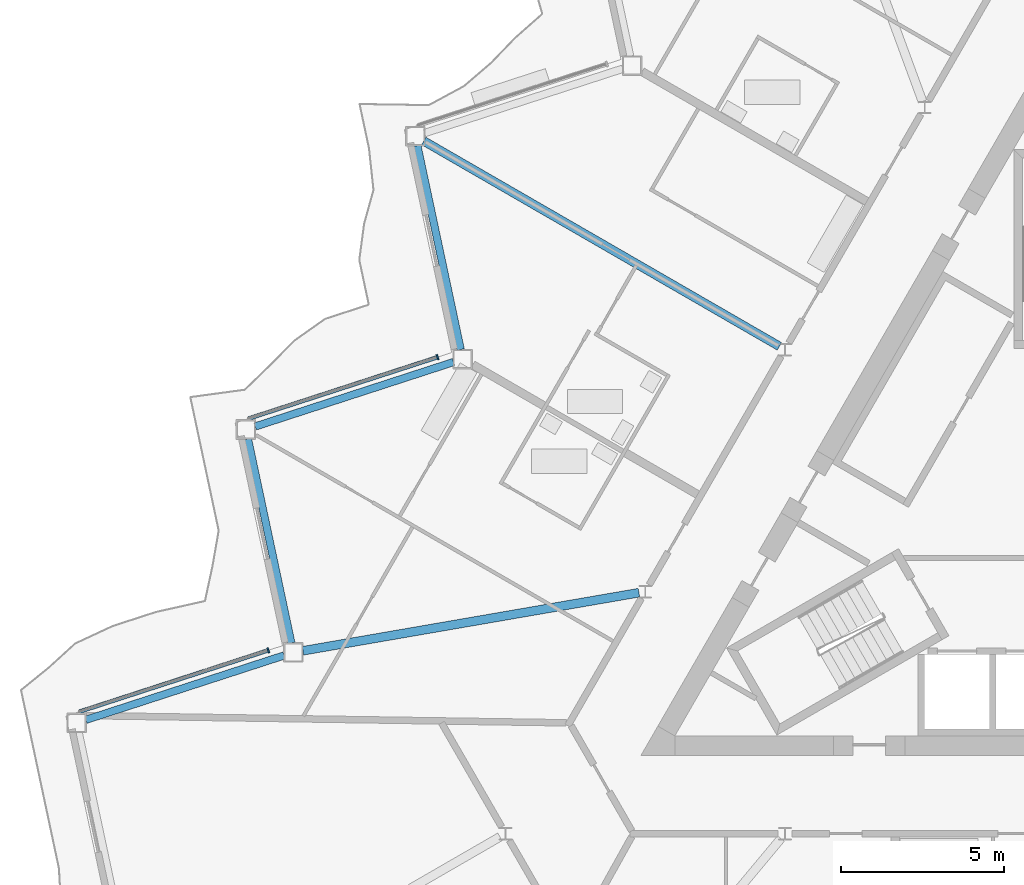
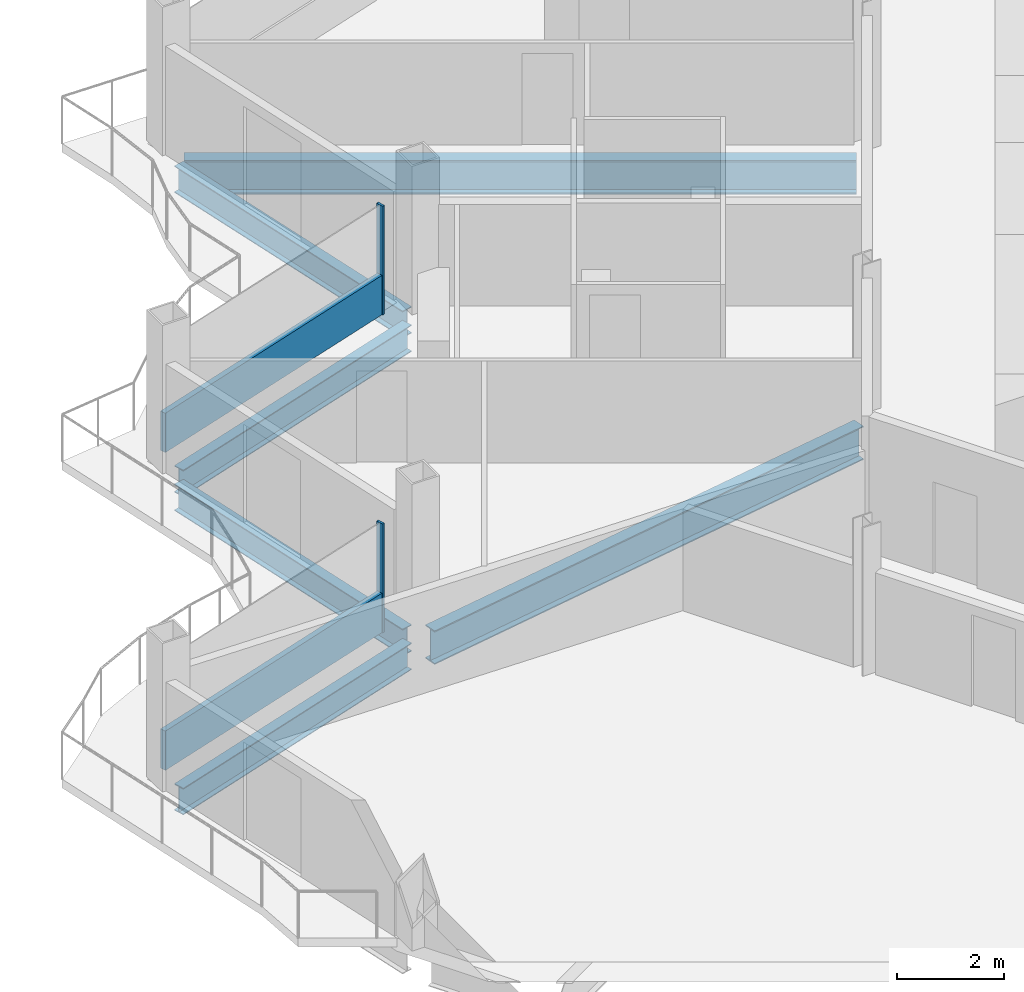
# One storey, part 6 of 26: 6 beams, 4 members, 2 elements without a shape of their own.
"""IFC4 building model written with IfcOpenShell, lengths in metres."""

from ifc_helpers import new_model, si_unit, direction, frame, origin, origin_2d, place, context, subcontext, project, spatial, rectangle, i_section, extrude, material, layer, layer_set, material_profile, profile_set, type_object, element, aggregate, save


model = new_model("IFC4")

# Units and contexts
model_context = context("Model", 3, precision=1e-05, world=origin(), true_north=direction((0.0, 1.0)))
body_context = subcontext(model_context, "Body", "Model", "MODEL_VIEW")
ifc_project = project(units=[si_unit("LENGTHUNIT", "METRE"), si_unit("AREAUNIT", "SQUARE_METRE"), si_unit("VOLUMEUNIT", "CUBIC_METRE"), si_unit("PLANEANGLEUNIT", "RADIAN"), si_unit("MASSUNIT", "GRAM", prefix="KILO")], contexts=[model_context])

# Site, building, storey
site_placement = place(None, origin())
site = spatial("IfcSite", under=ifc_project, at=site_placement, CompositionType="ELEMENT")
building_placement = place(site_placement, origin())
building = spatial("IfcBuilding", under=site, at=building_placement, Name="Cormorant Prow Tower", CompositionType="ELEMENT")
storey_placement = place(building_placement, frame((0.0, 0.0, 325.60009765625)))
storey = spatial("IfcBuildingStorey", under=building, at=storey_placement, Name="L72", CompositionType="ELEMENT", Elevation=325.60009765625)

# Beams
ifc_material_1 = material(Name="Structural steel ASTM A992 Gr 50", Category="steel")
ifc_material_profile_1 = material_profile(ifc_material_1, i_section(OverallWidth=0.267822265625, OverallDepth=0.77001953125, WebThickness=0.015625, FlangeThickness=0.025390625, at=origin_2d()), Name="W30x132")
ifc_profile_set_1 = profile_set([ifc_material_profile_1], Name="Structural steel ASTM A992 Gr 50")
beam_type_1 = type_object("IfcBeamType", Name="Radial floor beam W30x132", PredefinedType="BEAM", material=ifc_profile_set_1)
beam_1_placement = place(storey_placement, frame((-8.749755859375, 5.051513671875, -0.68505859375), z_axis=(-0.866021086443, 0.50000747778, 0.0), x_axis=(-0.50000747778, -0.866021086443, 0.0)))
element("IfcBeam", 1, at=beam_1_placement, inside=storey, type_object=beam_type_1, Name="Radial floor beam FB3 3 L72", PredefinedType="BEAM", context=body_context, shape_type="SweptSolid", body=[
    extrude(i_section(OverallWidth=0.267822265625, OverallDepth=0.77001953125, WebThickness=0.015625, FlangeThickness=0.025390625, at=origin_2d()), origin(), (0.0, 0.0, 1.0), 12.604736328125),
])
beam_2_placement = place(storey_placement, frame((-13.0625, -2.510009765625, -0.68505859375), z_axis=(-0.985379592304, -0.170373293304, 0.0), x_axis=(0.170373293304, -0.985379592304, 0.0)))
element("IfcBeam", 2, at=beam_2_placement, inside=storey, type_object=beam_type_1, Name="Radial floor beam FB3 4 L72", PredefinedType="BEAM", context=body_context, shape_type="SweptSolid", body=[
    extrude(i_section(OverallWidth=0.267822265625, OverallDepth=0.77001953125, WebThickness=0.015625, FlangeThickness=0.025390625, at=origin_2d()), origin(), (0.0, 0.0, 1.0), 10.465087890625),
])

# Curtain wall, member
ifc_material_2 = material(Name="Aluminium 6063-T6", Category="aluminium")
ifc_layer = layer(ifc_material_2, 0.159912109375)
ifc_layer_set = layer_set([ifc_layer], Name="Aluminium 6063-T6")
curtain_wall_type = type_object("IfcCurtainWallType", Name="Residential unitised curtain wall 160", PredefinedType="NOTDEFINED", material=ifc_layer_set)
curtain_wall_1_placement = place(storey_placement, origin())
curtain_wall_1 = element("IfcCurtainWall", 3, at=curtain_wall_1_placement, inside=storey, type_object=curtain_wall_type, Name="Residential curtain wall WNW06", PredefinedType="NOTDEFINED")
ifc_material_3 = material(Name="Aluminium 6063-T6", Category="aluminium")
ifc_material_profile_2 = material_profile(ifc_material_3, rectangle(XDim=0.159912109375, YDim=0.050048828125, at=origin_2d()), Name="Residential mullion 50x160")
ifc_profile_set_2 = profile_set([ifc_material_profile_2], Name="Aluminium 6063-T6")
member_type_1 = type_object("IfcMemberType", Name="Residential mullion 50x160", PredefinedType="MULLION", material=ifc_profile_set_2)
member_1_placement = place(storey_placement, frame((-19.244384765625, 4.718505859375, 0.0), z_axis=(0.0, 0.0, 1.0), x_axis=(0.309017021913, -0.951056507348, 0.0)))
member_1 = element("IfcMember", 4, at=member_1_placement, type_object=member_type_1, Name="Residential mullion WNW06", PredefinedType="MULLION", context=body_context, shape_type="SweptSolid", body=[
    extrude(rectangle(XDim=0.159912109375, YDim=0.050048828125, at=origin_2d()), origin(), (0.0, 0.0, 1.0), 2.48779296875),
])

curtain_wall_2_placement = place(storey_placement, origin())
curtain_wall_2 = element("IfcCurtainWall", 5, at=curtain_wall_2_placement, inside=storey, type_object=curtain_wall_type, Name="Residential curtain wall WNW08", PredefinedType="NOTDEFINED")
member_2_placement = place(storey_placement, frame((-24.43896484375, -4.279052734375, 0.0), z_axis=(0.0, 0.0, 1.0), x_axis=(0.309017021913, -0.951056507348, 0.0)))
member_2 = element("IfcMember", 6, at=member_2_placement, type_object=member_type_1, Name="Residential mullion WNW08", PredefinedType="MULLION", context=body_context, shape_type="SweptSolid", body=[
    extrude(rectangle(XDim=0.159912109375, YDim=0.050048828125, at=origin_2d()), origin(), (0.0, 0.0, 1.0), 2.48779296875),
])

# Member
ifc_material_4 = material(Name="Terracotta", Category="masonry")
ifc_material_profile_3 = material_profile(ifc_material_4, rectangle(XDim=0.1201171875, YDim=0.89990234375, at=origin_2d()), Name="Residential terracotta spandrel rail 120x900")
ifc_profile_set_3 = profile_set([ifc_material_profile_3], Name="Terracotta")
member_type_2 = type_object("IfcMemberType", Name="Residential terracotta spandrel rail 120x900", PredefinedType="USERDEFINED", material=ifc_profile_set_3)
member_3_placement = place(storey_placement, frame((-19.26806640625, 4.710693359375, 0.449951171875), z_axis=(-0.951064202661, -0.308993337171, 0.0), x_axis=(0.308993337171, -0.951064202661, 0.0)))
member_3 = element("IfcMember", 7, at=member_3_placement, type_object=member_type_2, Name="Residential spandrel rail WNW06", ObjectType="TRANSOM", PredefinedType="USERDEFINED", context=body_context, shape_type="SweptSolid", body=[
    extrude(rectangle(XDim=0.1201171875, YDim=0.89990234375, at=origin_2d()), origin(), (0.0, 0.0, 1.0), 6.072021484375),
])

aggregate(curtain_wall_1, [member_1, member_3])

member_4_placement = place(storey_placement, frame((-24.462646484375, -4.28662109375, 0.449951171875), z_axis=(-0.95105622579, -0.309017888456, 0.0), x_axis=(0.309017888456, -0.95105622579, 0.0)))
member_4 = element("IfcMember", 8, at=member_4_placement, type_object=member_type_2, Name="Residential spandrel rail WNW08", ObjectType="TRANSOM", PredefinedType="USERDEFINED", context=body_context, shape_type="SweptSolid", body=[
    extrude(rectangle(XDim=0.1201171875, YDim=0.89990234375, at=origin_2d()), origin(), (0.0, 0.0, 1.0), 6.072265625),
])

aggregate(curtain_wall_2, [member_2, member_4])

# Beams
ifc_material_5 = material(Name="Structural steel ASTM A992 Gr 50", Category="steel")
ifc_material_profile_4 = material_profile(ifc_material_5, i_section(OverallWidth=0.22900390625, OverallDepth=0.612060546875, WebThickness=0.011962890625, FlangeThickness=0.01953125, at=origin_2d()), Name="W24x84")
ifc_profile_set_4 = profile_set([ifc_material_profile_4], Name="Structural steel ASTM A992 Gr 50")
beam_type_2 = type_object("IfcBeamType", Name="Spandrel beam W24x84", PredefinedType="SPANDREL", material=ifc_profile_set_4)
beam_3_placement = place(storey_placement, frame((-19.86328125, 11.210693359375, -0.606201171875), z_axis=(0.20791262393, -0.978147402394, 0.0), x_axis=(0.978147402394, 0.20791262393, 0.0)))
element("IfcBeam", 9, at=beam_3_placement, inside=storey, type_object=beam_type_2, Name="Spandrel beam SB3 WNW05-WNW06 L72", PredefinedType="SPANDREL", context=body_context, shape_type="SweptSolid", body=[
    extrude(i_section(OverallWidth=0.22900390625, OverallDepth=0.612060546875, WebThickness=0.011962890625, FlangeThickness=0.01953125, at=origin_2d()), origin(), (0.0, 0.0, 1.0), 6.396240234375),
])
beam_4_placement = place(storey_placement, frame((-18.75634765625, 4.568115234375, -0.606201171875), z_axis=(-0.951064359156, -0.308992855489, 0.0), x_axis=(0.308992855489, -0.951064359156, 0.0)))
element("IfcBeam", 10, at=beam_4_placement, inside=storey, type_object=beam_type_2, Name="Spandrel beam SB3 WNW06-WNW07 L72", PredefinedType="SPANDREL", context=body_context, shape_type="SweptSolid", body=[
    extrude(i_section(OverallWidth=0.22900390625, OverallDepth=0.612060546875, WebThickness=0.011962890625, FlangeThickness=0.01953125, at=origin_2d()), origin(), (0.0, 0.0, 1.0), 6.39599609375),
])
beam_5_placement = place(storey_placement, frame((-25.062255859375, 2.20556640625, -0.606201171875), z_axis=(0.20791262393, -0.978147402394, 0.0), x_axis=(0.978147402394, 0.20791262393, 0.0)))
element("IfcBeam", 11, at=beam_5_placement, inside=storey, type_object=beam_type_2, Name="Spandrel beam SB3 WNW07-WNW08 L72", PredefinedType="SPANDREL", context=body_context, shape_type="SweptSolid", body=[
    extrude(i_section(OverallWidth=0.22900390625, OverallDepth=0.612060546875, WebThickness=0.011962890625, FlangeThickness=0.01953125, at=origin_2d()), origin(), (0.0, 0.0, 1.0), 6.396240234375),
])
beam_6_placement = place(storey_placement, frame((-23.955322265625, -4.43701171875, -0.606201171875), z_axis=(-0.951064359156, -0.308992855489, 0.0), x_axis=(0.308992855489, -0.951064359156, 0.0)))
element("IfcBeam", 12, at=beam_6_placement, inside=storey, type_object=beam_type_2, Name="Spandrel beam SB3 WNW08-WNW09 L72", PredefinedType="SPANDREL", context=body_context, shape_type="SweptSolid", body=[
    extrude(i_section(OverallWidth=0.22900390625, OverallDepth=0.612060546875, WebThickness=0.011962890625, FlangeThickness=0.01953125, at=origin_2d()), origin(), (0.0, 0.0, 1.0), 6.39599609375),
])

save(model, "model.ifc")
